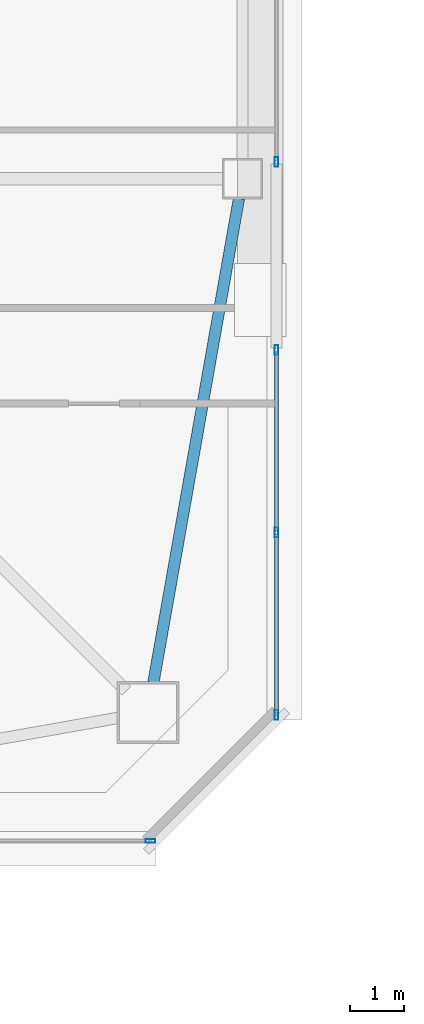
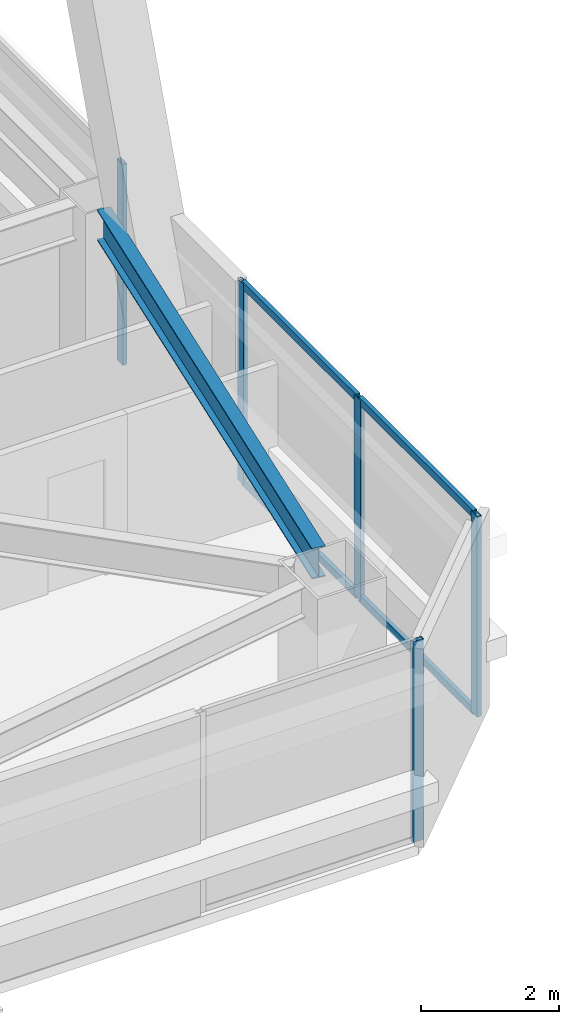
# One storey, part 13 of 55: 9 members, 1 beam, 3 elements without a shape of their own.
"""IFC4 building model written with IfcOpenShell, lengths in metres."""

import ifcopenshell
import ifcopenshell.guid

model = None  # the IFC model being written
_history = None  # IfcOwnerHistory: only IFC2X3 demands one
_inside = {}  # id of a spatial element -> (the spatial element, [elements in it])
_under = {}  # id of a project, library or spatial element -> (it, [spatial elements below it])
_declared = {}  # id of a project -> (the project, [libraries it declares])
_typed = {}  # id of a type object -> (the type object, [elements of that type])
_made_of = {}  # id of a material, layer set ... -> (it, [elements and type objects made of it])


def new_model(schema):
    """Start an empty IFC model of exactly this schema.

    Asked for "IFC4X3", IfcOpenShell would pick the latest addendum, in which some entities
    have other attributes; the version numbers below select the first issue.
    IFC2X3 requires an IfcOwnerHistory on every rooted entity: one is made here for all.
    """
    global model, _history
    if schema == "IFC4X3":
        model = ifcopenshell.file(schema_version=(4, 3, 0, 0))
    else:
        model = ifcopenshell.file(schema=schema)
    _inside.clear()
    _under.clear()
    _declared.clear()
    _typed.clear()
    _made_of.clear()
    _history = None
    if model.schema == "IFC2X3":
        org = make("IfcOrganization", Name="unknown")
        user = make(
            "IfcPersonAndOrganization",
            ThePerson=make("IfcPerson", FamilyName="unknown"),
            TheOrganization=org,
        )
        app = make(
            "IfcApplication",
            ApplicationDeveloper=org,
            Version="unknown",
            ApplicationFullName="unknown",
            ApplicationIdentifier="unknown",
        )
        _history = make(
            "IfcOwnerHistory",
            OwningUser=user,
            OwningApplication=app,
            ChangeAction="ADDED",
            CreationDate=0,
        )
    return model


def make(cls, **values):
    """One entity of the class cls with the attributes given. An attribute that is None is left unset."""
    return model.create_entity(
        cls, **{name: value for name, value in values.items() if value is not None}
    )


def rooted(cls, **values):
    """An entity with a GlobalId (a new one), such as an element, a storey or a relation."""
    return make(cls, GlobalId=ifcopenshell.guid.new(), OwnerHistory=_history, **values)


def si_unit(unit_type, name, prefix=None):
    """IfcSIUnit, for example si_unit("LENGTHUNIT", "METRE", prefix="MILLI")."""
    return make("IfcSIUnit", UnitType=unit_type, Prefix=prefix, Name=name)


def assignment(units):
    """IfcUnitAssignment: the units of a project."""
    return None if units is None else make("IfcUnitAssignment", Units=units)


def point(xyz):
    """IfcCartesianPoint."""
    return None if xyz is None else make("IfcCartesianPoint", Coordinates=xyz)


def direction(xyz):
    """IfcDirection."""
    return None if xyz is None else make("IfcDirection", DirectionRatios=xyz)


def frame(location, z_axis=None, x_axis=None):
    """IfcAxis2Placement3D, a coordinate frame: its origin and axes. An axis left out is left unset."""
    return make(
        "IfcAxis2Placement3D",
        Location=point(location),
        Axis=direction(z_axis),
        RefDirection=direction(x_axis),
    )


def frame_2d(location, x_axis=None):
    """IfcAxis2Placement2D, a coordinate frame in the plane: its origin and x axis."""
    return make(
        "IfcAxis2Placement2D", Location=point(location), RefDirection=direction(x_axis)
    )


def origin():
    """The frame at (0, 0, 0) with its axes left unset."""
    return frame((0.0, 0.0, 0.0))


def origin_2d():
    """The frame at (0, 0) in the plane with its x axis left unset."""
    return frame_2d((0.0, 0.0))


def place(relative_to, where):
    """IfcLocalPlacement: puts the frame where relative to a parent placement (None: the world)."""
    return make(
        "IfcLocalPlacement", PlacementRelTo=relative_to, RelativePlacement=where
    )


def context(
    kind, dimensions, precision=None, world=None, true_north=None, identifier=None
):
    """IfcGeometricRepresentationContext, for example the 3D "Model" context."""
    return make(
        "IfcGeometricRepresentationContext",
        ContextIdentifier=identifier,
        ContextType=kind,
        CoordinateSpaceDimension=dimensions,
        Precision=precision,
        WorldCoordinateSystem=world,
        TrueNorth=true_north,
    )


def subcontext(parent, identifier, kind, view, scale=None):
    """IfcGeometricRepresentationSubContext, for example "Body" below "Model"."""
    return make(
        "IfcGeometricRepresentationSubContext",
        ContextIdentifier=identifier,
        ContextType=kind,
        ParentContext=parent,
        TargetScale=scale,
        TargetView=view,
    )


def project(units=None, contexts=None):
    """IfcProject with its units and contexts."""
    return rooted(
        "IfcProject",
        Name="project",
        RepresentationContexts=contexts,
        UnitsInContext=assignment(units),
    )


def spatial(cls, under=None, at=None, **own):
    """A site, building, storey or space (cls), placed at a placement, below another one or the project."""
    s = rooted(cls, ObjectPlacement=at, **own)
    if under is not None:
        _under.setdefault(under.id(), (under, []))[1].append(s)
    return s


def profile(cls, at=None, kind="AREA", **sizes):
    """A parametric profile (cls). Its sizes go by their IFC names, for example OverallWidth=200.0."""
    return make(cls, ProfileType=kind, Position=at, **sizes)


def hollow_rectangle(**sizes):
    """IfcRectangleHollowProfileDef."""
    return profile("IfcRectangleHollowProfileDef", **sizes)


def i_section(**sizes):
    """IfcIShapeProfileDef."""
    return profile("IfcIShapeProfileDef", **sizes)


def extrude(swept, where, along, depth):
    """IfcExtrudedAreaSolid: the profile swept, set in the frame where, extruded along a direction by depth."""
    return make(
        "IfcExtrudedAreaSolid",
        SweptArea=swept,
        Position=where,
        ExtrudedDirection=direction(along),
        Depth=depth,
    )


def shape(context_of_items, identifier, shape_type, items):
    """IfcShapeRepresentation: the items that make up one representation, for example the "Body"."""
    return make(
        "IfcShapeRepresentation",
        ContextOfItems=context_of_items,
        RepresentationIdentifier=identifier,
        RepresentationType=shape_type,
        Items=items,
    )


def material(Name=None, Category=None):
    """IfcMaterial."""
    return make("IfcMaterial", Name=Name, Category=Category)


def material_profile(
    of_material, cross_section, Name=None, Category=None, Priority=None
):
    """IfcMaterialProfile: a cross section and its material."""
    return make(
        "IfcMaterialProfile",
        Name=Name,
        Material=of_material,
        Profile=cross_section,
        Priority=Priority,
        Category=Category,
    )


def profile_set(profiles, Name=None, composite=None):
    """IfcMaterialProfileSet."""
    return make(
        "IfcMaterialProfileSet",
        Name=Name,
        MaterialProfiles=profiles,
        CompositeProfile=composite,
    )


def made_of(thing, what):
    """Note that an element or type object is made of a material, layer set ...; save() writes the relation."""
    if what is not None:
        _made_of.setdefault(what.id(), (what, []))[1].append(thing)
    return thing


def type_object(cls, material=None, **own):
    """A type object (cls), such as IfcWallType, which elements share."""
    return made_of(rooted(cls, **own), material)


def element(
    cls,
    number,
    at=None,
    inside=None,
    cuts=None,
    type_object=None,
    material=None,
    context=None,
    identifier="Body",
    shape_type=None,
    held_by="IfcProductDefinitionShape",
    body=None,
    shapes=None,
    **own,
):
    """One element of the class cls, such as IfcWall. Its Tag is "e" and its number.

    at: its placement. inside: the storey or other place that contains it. cuts: it is an
    opening in that element (IfcRelVoidsElement). A single representation is given by context,
    identifier, shape_type and body (its items); several are given by shapes. held_by: the class
    of the entity that holds the representations. save() writes the other relations.
    """
    e = rooted(cls, Tag="e%d" % number, ObjectPlacement=at, **own)
    if body is not None:
        shapes = [shape(context, identifier, shape_type, body)]
    if shapes is not None:
        e.Representation = make(held_by, Representations=shapes)
    if inside is not None:
        _inside.setdefault(inside.id(), (inside, []))[1].append(e)
    if cuts is not None:
        rooted(
            "IfcRelVoidsElement", RelatingBuildingElement=cuts, RelatedOpeningElement=e
        )
    if type_object is not None:
        _typed.setdefault(type_object.id(), (type_object, []))[1].append(e)
    return made_of(e, material)


def aggregate(whole, parts):
    """IfcRelAggregates: a whole, such as a stair, and the parts it consists of."""
    return rooted("IfcRelAggregates", RelatingObject=whole, RelatedObjects=parts)


def save(model, path):
    """Write the relations noted so far, then the file.

    IfcRelAggregates (storeys below a building ...), IfcRelContainedInSpatialStructure (elements
    in a storey), IfcRelDefinesByType, IfcRelAssociatesMaterial and IfcRelDeclares: one each for
    every whole, place, type object, material and project.
    """
    for whole, parts in _under.values():
        aggregate(whole, parts)
    for where, things in _inside.values():
        rooted(
            "IfcRelContainedInSpatialStructure",
            RelatedElements=things,
            RelatingStructure=where,
        )
    for kind, things in _typed.values():
        rooted("IfcRelDefinesByType", RelatedObjects=things, RelatingType=kind)
    for what, things in _made_of.values():
        rooted("IfcRelAssociatesMaterial", RelatedObjects=things, RelatingMaterial=what)
    for by, libraries in _declared.values():
        rooted("IfcRelDeclares", RelatingContext=by, RelatedDefinitions=libraries)
    model.write(path)


model = new_model("IFC4")

# Units and contexts
model_context = context("Model", 3, precision=1e-05, world=origin(), true_north=direction((0.0, 1.0)))
body_context = subcontext(model_context, "Body", "Model", "MODEL_VIEW")
ifc_project = project(units=[si_unit("LENGTHUNIT", "METRE"), si_unit("AREAUNIT", "SQUARE_METRE"), si_unit("VOLUMEUNIT", "CUBIC_METRE"), si_unit("PLANEANGLEUNIT", "RADIAN"), si_unit("MASSUNIT", "GRAM", prefix="KILO")], contexts=[model_context])

# Site, building, storey
site_placement = place(None, origin())
site = spatial("IfcSite", under=ifc_project, at=site_placement, CompositionType="ELEMENT")
building_placement = place(site_placement, origin())
building = spatial("IfcBuilding", under=site, at=building_placement, Name="Tashvorn Skyway Center", CompositionType="ELEMENT")
storey_placement = place(building_placement, frame((0.0, 0.0, 178.300048828125)))
storey = spatial("IfcBuildingStorey", under=building, at=storey_placement, Name="L48", CompositionType="ELEMENT", Elevation=178.300048828125)

# Beam
ifc_material_1 = material(Name="Steel ASTM A992 Grade 50", Category="steel")
ifc_material_profile_1 = material_profile(ifc_material_1, i_section(OverallWidth=0.2109375, OverallDepth=0.5390625, WebThickness=0.01171875, FlangeThickness=0.018798828125, at=origin_2d()), Name="W21X73")
ifc_profile_set_1 = profile_set([ifc_material_profile_1], Name="Steel ASTM A992 Grade 50")
beam_type = type_object("IfcBeamType", Name="BM-SPANDREL-W21X73", PredefinedType="SPANDREL", material=ifc_profile_set_1)
beam_placement = place(storey_placement, frame((57.399169921875, 17.26123046875, 3.100341796875), z_axis=(0.174074160933, 0.984732545667, 0.0), x_axis=(-0.984732545667, 0.174074160933, 0.0)))
element("IfcBeam", 1, at=beam_placement, inside=storey, type_object=beam_type, Name="Tower 1 L48 Spandrel Beam 04", PredefinedType="SPANDREL", context=body_context, shape_type="SweptSolid", body=[
    extrude(i_section(OverallWidth=0.2109375, OverallDepth=0.5390625, WebThickness=0.01171875, FlangeThickness=0.018798828125, at=origin_2d()), origin(), (0.0, 0.0, 1.0), 9.113525390625),
])

# Curtain wall, member
ifc_material_2 = material(Name="Thermally broken bronze-anodized aluminium 6063-T6", Category="aluminium")
curtain_wall_type = type_object("IfcCurtainWallType", Name="CW-CW-Z4", PredefinedType="NOTDEFINED", material=ifc_material_2)
curtain_wall_1_placement = place(storey_placement, origin())
curtain_wall_1 = element("IfcCurtainWall", 2, at=curtain_wall_1_placement, inside=storey, type_object=curtain_wall_type, Name="Tower 1 L48 South Curtain Wall L Glazing Group 1", PredefinedType="NOTDEFINED")
ifc_material_profile_2 = material_profile(ifc_material_2, hollow_rectangle(XDim=0.070068359375, YDim=0.179931640625, WallThickness=0.00390625, at=origin_2d()), Name="ALU-MULL-70x180")
ifc_profile_set_2 = profile_set([ifc_material_profile_2], Name="Thermally broken bronze-anodized aluminium 6063-T6")
member_type_1 = type_object("IfcMemberType", Name="CWM-CW-Z4", PredefinedType="MULLION", material=ifc_profile_set_2)
member_1_placement = place(storey_placement, frame((57.344970703125, 14.320068359375, 0.0), z_axis=(0.0, 0.0, 1.0), x_axis=(0.0, -1.0, 0.0)))
member_1 = element("IfcMember", 3, at=member_1_placement, type_object=member_type_1, Name="CW-Z4 mullion 1", PredefinedType="MULLION", context=body_context, shape_type="SweptSolid", body=[
    extrude(hollow_rectangle(XDim=0.070068359375, YDim=0.179931640625, WallThickness=0.00390625, at=origin_2d()), origin(), (0.0, 0.0, 1.0), 3.550048828125),
])
aggregate(curtain_wall_1, [member_1])

curtain_wall_2_placement = place(storey_placement, origin())
curtain_wall_2 = element("IfcCurtainWall", 4, at=curtain_wall_2_placement, inside=storey, type_object=curtain_wall_type, Name="Tower 1 L48 East Unitised Curtain Wall Glazing Group 2", PredefinedType="NOTDEFINED")
member_2_placement = place(storey_placement, frame((59.679931640625, 26.908203125, 0.0), z_axis=(0.0, 0.0, 1.0), x_axis=(1.0, 0.0, 0.0)))
member_2 = element("IfcMember", 5, at=member_2_placement, type_object=member_type_1, Name="CW-Z4 mullion 2", PredefinedType="MULLION", context=body_context, shape_type="SweptSolid", body=[
    extrude(hollow_rectangle(XDim=0.070068359375, YDim=0.179931640625, WallThickness=0.00390625, at=origin_2d()), origin(), (0.0, 0.0, 1.0), 3.550048828125),
])
aggregate(curtain_wall_2, [member_2])

# Curtain wall, members
curtain_wall_3_placement = place(storey_placement, origin())
curtain_wall_3 = element("IfcCurtainWall", 6, at=curtain_wall_3_placement, inside=storey, type_object=curtain_wall_type, Name="Tower 1 L48 East Unitised Curtain Wall Glazing Group 3", PredefinedType="NOTDEFINED")
member_3_placement = place(storey_placement, frame((59.679931640625, 23.420654296875, 0.0), z_axis=(0.0, 0.0, 1.0), x_axis=(1.0, 0.0, 0.0)))
member_3 = element("IfcMember", 7, at=member_3_placement, type_object=member_type_1, Name="CW-Z4 mullion 1", PredefinedType="MULLION", context=body_context, shape_type="SweptSolid", body=[
    extrude(hollow_rectangle(XDim=0.070068359375, YDim=0.179931640625, WallThickness=0.00390625, at=origin_2d()), origin(), (0.0, 0.0, 1.0), 3.550048828125),
])
member_4_placement = place(storey_placement, frame((59.679931640625, 20.037841796875, 0.0), z_axis=(0.0, 0.0, 1.0), x_axis=(1.0, 0.0, 0.0)))
member_4 = element("IfcMember", 8, at=member_4_placement, type_object=member_type_1, Name="CW-Z4 mullion 2", PredefinedType="MULLION", context=body_context, shape_type="SweptSolid", body=[
    extrude(hollow_rectangle(XDim=0.070068359375, YDim=0.179931640625, WallThickness=0.00390625, at=origin_2d()), origin(), (0.0, 0.0, 1.0), 3.550048828125),
])
member_5_placement = place(storey_placement, frame((59.679931640625, 16.655029296875, 0.0), z_axis=(0.0, 0.0, 1.0), x_axis=(1.0, 0.0, 0.0)))
member_5 = element("IfcMember", 9, at=member_5_placement, type_object=member_type_1, Name="CW-Z4 mullion 3", PredefinedType="MULLION", context=body_context, shape_type="SweptSolid", body=[
    extrude(hollow_rectangle(XDim=0.070068359375, YDim=0.179931640625, WallThickness=0.00390625, at=origin_2d()), origin(), (0.0, 0.0, 1.0), 3.550048828125),
])
ifc_material_profile_3 = material_profile(ifc_material_2, hollow_rectangle(XDim=0.070068359375, YDim=0.1298828125, WallThickness=0.00390625, at=origin_2d()), Name="ALU-TRAN-70x130")
ifc_profile_set_3 = profile_set([ifc_material_profile_3], Name="Thermally broken bronze-anodized aluminium 6063-T6")
member_type_2 = type_object("IfcMemberType", Name="CWT-CW-Z4", PredefinedType="USERDEFINED", material=ifc_profile_set_3)
member_6_placement = place(storey_placement, frame((59.679931640625, 23.385498046875, 0.034912109375), z_axis=(0.0, -1.0, 0.0), x_axis=(1.0, 0.0, 0.0)))
member_6 = element("IfcMember", 10, at=member_6_placement, type_object=member_type_2, Name="CW-Z4 transom 1.1", ObjectType="TRANSOM", PredefinedType="USERDEFINED", context=body_context, shape_type="SweptSolid", body=[
    extrude(hollow_rectangle(XDim=0.070068359375, YDim=0.1298828125, WallThickness=0.00390625, at=origin_2d()), origin(), (0.0, 0.0, 1.0), 3.312744140625),
])
member_7_placement = place(storey_placement, frame((59.679931640625, 23.385498046875, 3.514892578125), z_axis=(0.0, -1.0, 0.0), x_axis=(1.0, 0.0, 0.0)))
member_7 = element("IfcMember", 11, at=member_7_placement, type_object=member_type_2, Name="CW-Z4 transom 1.2", ObjectType="TRANSOM", PredefinedType="USERDEFINED", context=body_context, shape_type="SweptSolid", body=[
    extrude(hollow_rectangle(XDim=0.070068359375, YDim=0.1298828125, WallThickness=0.00390625, at=origin_2d()), origin(), (0.0, 0.0, 1.0), 3.312744140625),
])
member_8_placement = place(storey_placement, frame((59.679931640625, 20.002685546875, 0.034912109375), z_axis=(0.0, -1.0, 0.0), x_axis=(1.0, 0.0, 0.0)))
member_8 = element("IfcMember", 12, at=member_8_placement, type_object=member_type_2, Name="CW-Z4 transom 2.1", ObjectType="TRANSOM", PredefinedType="USERDEFINED", context=body_context, shape_type="SweptSolid", body=[
    extrude(hollow_rectangle(XDim=0.070068359375, YDim=0.1298828125, WallThickness=0.00390625, at=origin_2d()), origin(), (0.0, 0.0, 1.0), 3.312744140625),
])
member_9_placement = place(storey_placement, frame((59.679931640625, 20.002685546875, 3.514892578125), z_axis=(0.0, -1.0, 0.0), x_axis=(1.0, 0.0, 0.0)))
member_9 = element("IfcMember", 13, at=member_9_placement, type_object=member_type_2, Name="CW-Z4 transom 2.2", ObjectType="TRANSOM", PredefinedType="USERDEFINED", context=body_context, shape_type="SweptSolid", body=[
    extrude(hollow_rectangle(XDim=0.070068359375, YDim=0.1298828125, WallThickness=0.00390625, at=origin_2d()), origin(), (0.0, 0.0, 1.0), 3.312744140625),
])
aggregate(curtain_wall_3, [member_3, member_4, member_5, member_6, member_7, member_8, member_9])

save(model, "model.ifc")
